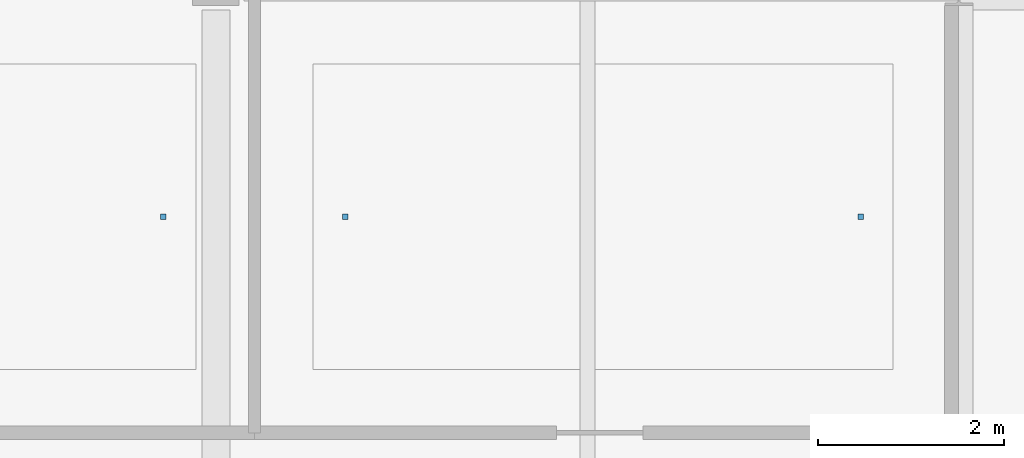
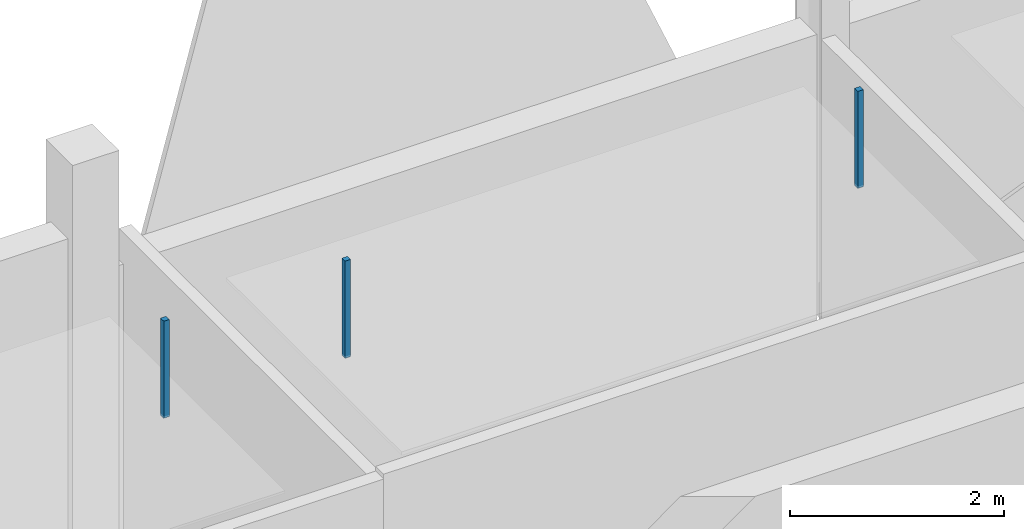
# One storey, part 102 of 141: 3 discrete accessories.
"""IFC4 building model written with IfcOpenShell, lengths in metres."""

import ifcopenshell
import ifcopenshell.guid

model = None  # the IFC model being written
_history = None  # IfcOwnerHistory: only IFC2X3 demands one
_inside = {}  # id of a spatial element -> (the spatial element, [elements in it])
_under = {}  # id of a project, library or spatial element -> (it, [spatial elements below it])
_declared = {}  # id of a project -> (the project, [libraries it declares])
_typed = {}  # id of a type object -> (the type object, [elements of that type])
_made_of = {}  # id of a material, layer set ... -> (it, [elements and type objects made of it])


def new_model(schema):
    """Start an empty IFC model of exactly this schema.

    Asked for "IFC4X3", IfcOpenShell would pick the latest addendum, in which some entities
    have other attributes; the version numbers below select the first issue.
    IFC2X3 requires an IfcOwnerHistory on every rooted entity: one is made here for all.
    """
    global model, _history
    if schema == "IFC4X3":
        model = ifcopenshell.file(schema_version=(4, 3, 0, 0))
    else:
        model = ifcopenshell.file(schema=schema)
    _inside.clear()
    _under.clear()
    _declared.clear()
    _typed.clear()
    _made_of.clear()
    _history = None
    if model.schema == "IFC2X3":
        org = make("IfcOrganization", Name="unknown")
        user = make(
            "IfcPersonAndOrganization",
            ThePerson=make("IfcPerson", FamilyName="unknown"),
            TheOrganization=org,
        )
        app = make(
            "IfcApplication",
            ApplicationDeveloper=org,
            Version="unknown",
            ApplicationFullName="unknown",
            ApplicationIdentifier="unknown",
        )
        _history = make(
            "IfcOwnerHistory",
            OwningUser=user,
            OwningApplication=app,
            ChangeAction="ADDED",
            CreationDate=0,
        )
    return model


def make(cls, **values):
    """One entity of the class cls with the attributes given. An attribute that is None is left unset."""
    return model.create_entity(
        cls, **{name: value for name, value in values.items() if value is not None}
    )


def rooted(cls, **values):
    """An entity with a GlobalId (a new one), such as an element, a storey or a relation."""
    return make(cls, GlobalId=ifcopenshell.guid.new(), OwnerHistory=_history, **values)


def si_unit(unit_type, name, prefix=None):
    """IfcSIUnit, for example si_unit("LENGTHUNIT", "METRE", prefix="MILLI")."""
    return make("IfcSIUnit", UnitType=unit_type, Prefix=prefix, Name=name)


def assignment(units):
    """IfcUnitAssignment: the units of a project."""
    return None if units is None else make("IfcUnitAssignment", Units=units)


def point(xyz):
    """IfcCartesianPoint."""
    return None if xyz is None else make("IfcCartesianPoint", Coordinates=xyz)


def direction(xyz):
    """IfcDirection."""
    return None if xyz is None else make("IfcDirection", DirectionRatios=xyz)


def frame(location, z_axis=None, x_axis=None):
    """IfcAxis2Placement3D, a coordinate frame: its origin and axes. An axis left out is left unset."""
    return make(
        "IfcAxis2Placement3D",
        Location=point(location),
        Axis=direction(z_axis),
        RefDirection=direction(x_axis),
    )


def frame_2d(location, x_axis=None):
    """IfcAxis2Placement2D, a coordinate frame in the plane: its origin and x axis."""
    return make(
        "IfcAxis2Placement2D", Location=point(location), RefDirection=direction(x_axis)
    )


def origin():
    """The frame at (0, 0, 0) with its axes left unset."""
    return frame((0.0, 0.0, 0.0))


def origin_2d():
    """The frame at (0, 0) in the plane with its x axis left unset."""
    return frame_2d((0.0, 0.0))


def place(relative_to, where):
    """IfcLocalPlacement: puts the frame where relative to a parent placement (None: the world)."""
    return make(
        "IfcLocalPlacement", PlacementRelTo=relative_to, RelativePlacement=where
    )


def context(
    kind, dimensions, precision=None, world=None, true_north=None, identifier=None
):
    """IfcGeometricRepresentationContext, for example the 3D "Model" context."""
    return make(
        "IfcGeometricRepresentationContext",
        ContextIdentifier=identifier,
        ContextType=kind,
        CoordinateSpaceDimension=dimensions,
        Precision=precision,
        WorldCoordinateSystem=world,
        TrueNorth=true_north,
    )


def subcontext(parent, identifier, kind, view, scale=None):
    """IfcGeometricRepresentationSubContext, for example "Body" below "Model"."""
    return make(
        "IfcGeometricRepresentationSubContext",
        ContextIdentifier=identifier,
        ContextType=kind,
        ParentContext=parent,
        TargetScale=scale,
        TargetView=view,
    )


def project(units=None, contexts=None):
    """IfcProject with its units and contexts."""
    return rooted(
        "IfcProject",
        Name="project",
        RepresentationContexts=contexts,
        UnitsInContext=assignment(units),
    )


def spatial(cls, under=None, at=None, **own):
    """A site, building, storey or space (cls), placed at a placement, below another one or the project."""
    s = rooted(cls, ObjectPlacement=at, **own)
    if under is not None:
        _under.setdefault(under.id(), (under, []))[1].append(s)
    return s


def profile(cls, at=None, kind="AREA", **sizes):
    """A parametric profile (cls). Its sizes go by their IFC names, for example OverallWidth=200.0."""
    return make(cls, ProfileType=kind, Position=at, **sizes)


def rectangle(**sizes):
    """IfcRectangleProfileDef."""
    return profile("IfcRectangleProfileDef", **sizes)


def extrude(swept, where, along, depth):
    """IfcExtrudedAreaSolid: the profile swept, set in the frame where, extruded along a direction by depth."""
    return make(
        "IfcExtrudedAreaSolid",
        SweptArea=swept,
        Position=where,
        ExtrudedDirection=direction(along),
        Depth=depth,
    )


def shape(context_of_items, identifier, shape_type, items):
    """IfcShapeRepresentation: the items that make up one representation, for example the "Body"."""
    return make(
        "IfcShapeRepresentation",
        ContextOfItems=context_of_items,
        RepresentationIdentifier=identifier,
        RepresentationType=shape_type,
        Items=items,
    )


def material(Name=None, Category=None):
    """IfcMaterial."""
    return make("IfcMaterial", Name=Name, Category=Category)


def made_of(thing, what):
    """Note that an element or type object is made of a material, layer set ...; save() writes the relation."""
    if what is not None:
        _made_of.setdefault(what.id(), (what, []))[1].append(thing)
    return thing


def type_object(cls, material=None, **own):
    """A type object (cls), such as IfcWallType, which elements share."""
    return made_of(rooted(cls, **own), material)


def element(
    cls,
    number,
    at=None,
    inside=None,
    cuts=None,
    type_object=None,
    material=None,
    context=None,
    identifier="Body",
    shape_type=None,
    held_by="IfcProductDefinitionShape",
    body=None,
    shapes=None,
    **own,
):
    """One element of the class cls, such as IfcWall. Its Tag is "e" and its number.

    at: its placement. inside: the storey or other place that contains it. cuts: it is an
    opening in that element (IfcRelVoidsElement). A single representation is given by context,
    identifier, shape_type and body (its items); several are given by shapes. held_by: the class
    of the entity that holds the representations. save() writes the other relations.
    """
    e = rooted(cls, Tag="e%d" % number, ObjectPlacement=at, **own)
    if body is not None:
        shapes = [shape(context, identifier, shape_type, body)]
    if shapes is not None:
        e.Representation = make(held_by, Representations=shapes)
    if inside is not None:
        _inside.setdefault(inside.id(), (inside, []))[1].append(e)
    if cuts is not None:
        rooted(
            "IfcRelVoidsElement", RelatingBuildingElement=cuts, RelatedOpeningElement=e
        )
    if type_object is not None:
        _typed.setdefault(type_object.id(), (type_object, []))[1].append(e)
    return made_of(e, material)


def aggregate(whole, parts):
    """IfcRelAggregates: a whole, such as a stair, and the parts it consists of."""
    return rooted("IfcRelAggregates", RelatingObject=whole, RelatedObjects=parts)


def save(model, path):
    """Write the relations noted so far, then the file.

    IfcRelAggregates (storeys below a building ...), IfcRelContainedInSpatialStructure (elements
    in a storey), IfcRelDefinesByType, IfcRelAssociatesMaterial and IfcRelDeclares: one each for
    every whole, place, type object, material and project.
    """
    for whole, parts in _under.values():
        aggregate(whole, parts)
    for where, things in _inside.values():
        rooted(
            "IfcRelContainedInSpatialStructure",
            RelatedElements=things,
            RelatingStructure=where,
        )
    for kind, things in _typed.values():
        rooted("IfcRelDefinesByType", RelatedObjects=things, RelatingType=kind)
    for what, things in _made_of.values():
        rooted("IfcRelAssociatesMaterial", RelatedObjects=things, RelatingMaterial=what)
    for by, libraries in _declared.values():
        rooted("IfcRelDeclares", RelatingContext=by, RelatedDefinitions=libraries)
    model.write(path)


model = new_model("IFC4")

# Units and contexts
model_context = context("Model", 3, precision=1e-05, world=origin(), true_north=direction((0.0, 1.0)))
body_context = subcontext(model_context, "Body", "Model", "MODEL_VIEW")
ifc_project = project(units=[si_unit("LENGTHUNIT", "METRE"), si_unit("AREAUNIT", "SQUARE_METRE"), si_unit("VOLUMEUNIT", "CUBIC_METRE"), si_unit("PLANEANGLEUNIT", "RADIAN"), si_unit("MASSUNIT", "GRAM", prefix="KILO")], contexts=[model_context])

# Site, building, storey
site_placement = place(None, origin())
site = spatial("IfcSite", under=ifc_project, at=site_placement, CompositionType="ELEMENT")
building_placement = place(site_placement, origin())
building = spatial("IfcBuilding", under=site, at=building_placement, Name="Khelvaren Railside Concert Hall", CompositionType="ELEMENT")
storey_placement = place(building_placement, frame((0.0, 0.0, 10.199951171875)))
storey = spatial("IfcBuildingStorey", under=building, at=storey_placement, Name="L02", CompositionType="ELEMENT", Elevation=10.199951171875)

# Discrete accessories
ifc_material = material(Name="Galvanised steel acoustic ceiling hanger rod", Category="steel")
discrete_accessory_type = type_object("IfcDiscreteAccessoryType", Name="BRK62", PredefinedType="BRACKET", material=ifc_material)
for number, where, z_axis, x_axis, name in (
    (1, (31.43408203125, 43.074951171875, 3.43017578125), (0.0, 0.0, 1.0), (1.0, 0.0, 0.0), "Acoustic Ceiling Suspension Bracket 25-2"),
    (2, (33.39404296875, 43.074951171875, 3.43017578125), (0.0, 0.0, 1.0), (1.0, 0.0, 0.0), "Acoustic Ceiling Suspension Bracket 26-1"),
    (3, (38.93994140625, 43.074951171875, 3.43017578125), (0.0, 0.0, 1.0), (1.0, 0.0, 0.0), "Acoustic Ceiling Suspension Bracket 26-2"),
):
    element("IfcDiscreteAccessory", number, at=place(storey_placement, frame(where, z_axis=z_axis, x_axis=x_axis)), inside=storey, type_object=discrete_accessory_type, Name=name, PredefinedType="BRACKET", context=body_context, shape_type="SweptSolid", body=[
        extrude(rectangle(XDim=0.06005859375, YDim=0.06005859375, at=origin_2d()), origin(), (0.0, 0.0, 1.0), 1.110107421875),
    ])

save(model, "model.ifc")
